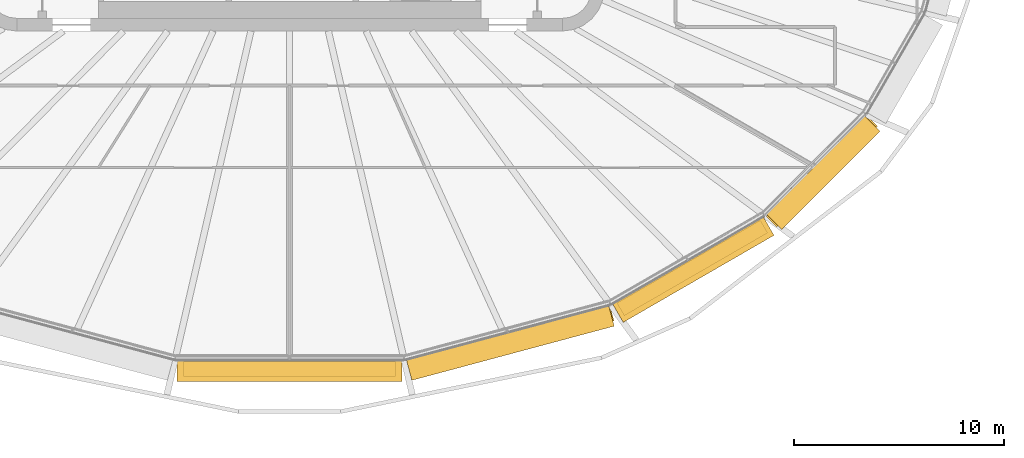
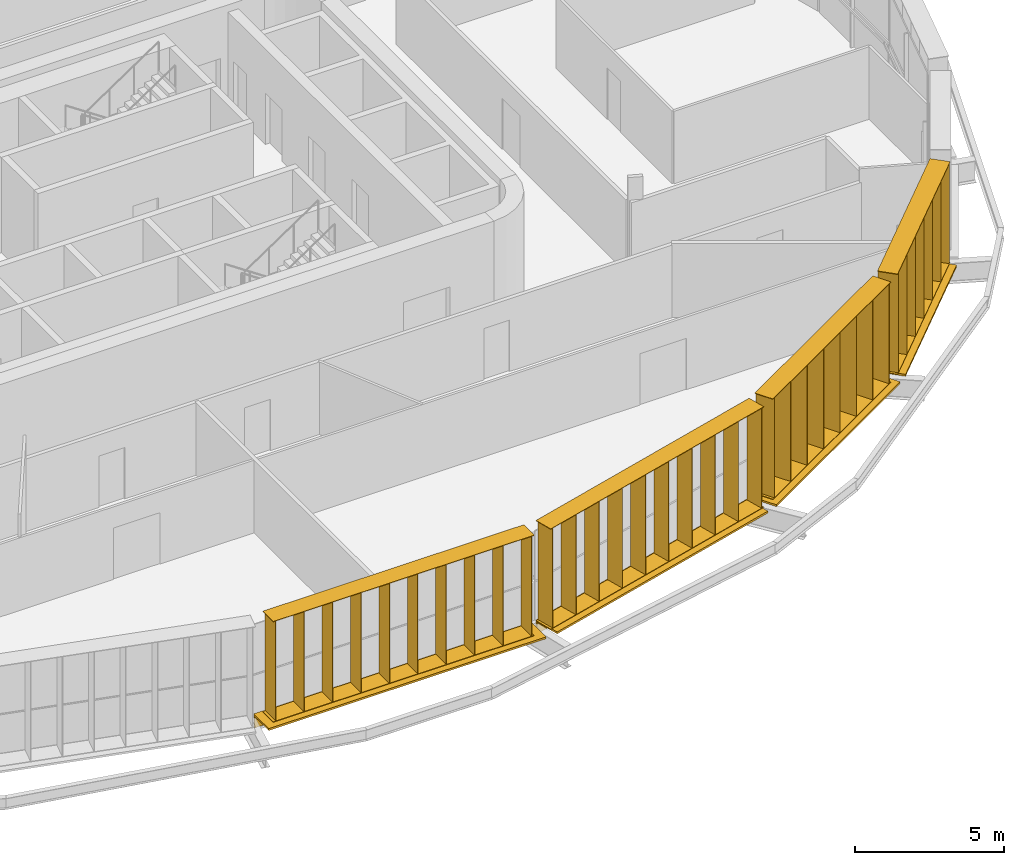
# One storey, part 22 of 25: 8 shading devices.
"""IFC4 building model written with IfcOpenShell, lengths in metres."""

from ifc_helpers import new_model, si_unit, direction, frame, origin, origin_2d, place, context, subcontext, project, spatial, rectangle, extrude, material, type_object, element, save


model = new_model("IFC4")

# Units and contexts
model_context = context("Model", 3, precision=1e-05, world=origin(), true_north=direction((0.0, 1.0)))
body_context = subcontext(model_context, "Body", "Model", "MODEL_VIEW")
ifc_project = project(units=[si_unit("LENGTHUNIT", "METRE"), si_unit("AREAUNIT", "SQUARE_METRE"), si_unit("VOLUMEUNIT", "CUBIC_METRE"), si_unit("PLANEANGLEUNIT", "RADIAN"), si_unit("MASSUNIT", "GRAM", prefix="KILO")], contexts=[model_context])

# Site, building, storey
site_placement = place(None, origin())
site = spatial("IfcSite", under=ifc_project, at=site_placement, CompositionType="ELEMENT")
building_placement = place(site_placement, origin())
building = spatial("IfcBuilding", under=site, at=building_placement, Name="Sahrelin Media Tower", CompositionType="ELEMENT")
storey_placement = place(building_placement, frame((0.0, 0.0, 144.0)))
storey = spatial("IfcBuildingStorey", under=building, at=storey_placement, Name="L29", CompositionType="ELEMENT", Elevation=144.0)

# Shading devices
ifc_material = material(Name="Champagne anodised aluminium 6063-T6", Category="aluminium")
shading_device_type_1 = type_object("IfcShadingDeviceType", Name="Fin cassette", PredefinedType="USERDEFINED", material=ifc_material)
placement_1 = place(storey_placement, frame((0.0, -23.69580078125, 0.0), z_axis=(0.0, 0.0, 1.0), x_axis=(-1.0, 0.0, 0.0)))
element("IfcShadingDevice", 1, at=placement_1, inside=storey, type_object=shading_device_type_1, Name="L29:FIN:L29-18", ObjectType="FIN", PredefinedType="USERDEFINED", context=body_context, shape_type="SweptSolid", body=[
    extrude(rectangle(XDim=10.10009765625, YDim=0.699951171875, at=origin_2d()), frame((0.0, 0.419921875, 0.0)), (0.0, 0.0, 1.0), 0.02001953125),
    extrude(rectangle(XDim=10.10009765625, YDim=0.699951171875, at=origin_2d()), frame((0.0, 0.419921875, 4.10009765625)), (0.0, 0.0, 1.0), 0.02001953125),
    extrude(rectangle(XDim=0.02001953125, YDim=0.699951171875, at=origin_2d()), frame((-4.949951171875, 0.419921875, 0.010009765625), z_axis=(0.0, 0.0, 1.0), x_axis=(1.0, 0.0, 0.0)), (0.0, 0.0, 1.0), 4.10009765625),
    extrude(rectangle(XDim=0.02001953125, YDim=0.699951171875, at=origin_2d()), frame((-3.85009765625, 0.419921875, 0.010009765625), z_axis=(0.0, 0.0, 1.0), x_axis=(1.0, 0.0, 0.0)), (0.0, 0.0, 1.0), 4.10009765625),
    extrude(rectangle(XDim=0.02001953125, YDim=0.699951171875, at=origin_2d()), frame((-2.75, 0.419921875, 0.010009765625), z_axis=(0.0, 0.0, 1.0), x_axis=(1.0, 0.0, 0.0)), (0.0, 0.0, 1.0), 4.10009765625),
    extrude(rectangle(XDim=0.02001953125, YDim=0.699951171875, at=origin_2d()), frame((-1.64990234375, 0.419921875, 0.010009765625), z_axis=(0.0, 0.0, 1.0), x_axis=(1.0, 0.0, 0.0)), (0.0, 0.0, 1.0), 4.10009765625),
    extrude(rectangle(XDim=0.02001953125, YDim=0.699951171875, at=origin_2d()), frame((-0.550048828125, 0.419921875, 0.010009765625), z_axis=(0.0, 0.0, 1.0), x_axis=(1.0, 0.0, 0.0)), (0.0, 0.0, 1.0), 4.10009765625),
    extrude(rectangle(XDim=0.02001953125, YDim=0.699951171875, at=origin_2d()), frame((0.550048828125, 0.419921875, 0.010009765625), z_axis=(0.0, 0.0, 1.0), x_axis=(1.0, 0.0, 0.0)), (0.0, 0.0, 1.0), 4.10009765625),
    extrude(rectangle(XDim=0.02001953125, YDim=0.699951171875, at=origin_2d()), frame((1.64990234375, 0.419921875, 0.010009765625), z_axis=(0.0, 0.0, 1.0), x_axis=(1.0, 0.0, 0.0)), (0.0, 0.0, 1.0), 4.10009765625),
    extrude(rectangle(XDim=0.02001953125, YDim=0.699951171875, at=origin_2d()), frame((2.75, 0.419921875, 0.010009765625), z_axis=(0.0, 0.0, 1.0), x_axis=(1.0, 0.0, 0.0)), (0.0, 0.0, 1.0), 4.10009765625),
    extrude(rectangle(XDim=0.02001953125, YDim=0.699951171875, at=origin_2d()), frame((3.85009765625, 0.419921875, 0.010009765625), z_axis=(0.0, 0.0, 1.0), x_axis=(1.0, 0.0, 0.0)), (0.0, 0.0, 1.0), 4.10009765625),
    extrude(rectangle(XDim=0.02001953125, YDim=0.699951171875, at=origin_2d()), frame((4.949951171875, 0.419921875, 0.010009765625), z_axis=(0.0, 0.0, 1.0), x_axis=(1.0, 0.0, 0.0)), (0.0, 0.0, 1.0), 4.10009765625),
])
placement_2 = place(storey_placement, frame((10.389404296875, -22.377197265625, 0.0), z_axis=(0.0, 0.0, 1.0), x_axis=(-0.965928857556, -0.258807731996, 0.0)))
element("IfcShadingDevice", 2, at=placement_2, inside=storey, type_object=shading_device_type_1, Name="L29:FIN:L29-19", ObjectType="FIN", PredefinedType="USERDEFINED", context=body_context, shape_type="SweptSolid", body=[
    extrude(rectangle(XDim=10.10009765625, YDim=0.699951171875, at=origin_2d()), frame((0.0, 0.419921875, 0.0)), (0.0, 0.0, 1.0), 0.02001953125),
    extrude(rectangle(XDim=10.10009765625, YDim=0.699951171875, at=origin_2d()), frame((0.0, 0.419921875, 4.10009765625)), (0.0, 0.0, 1.0), 0.02001953125),
    extrude(rectangle(XDim=0.02001953125, YDim=0.699951171875, at=origin_2d()), frame((-4.949951171875, 0.419921875, 0.010009765625), z_axis=(0.0, 0.0, 1.0), x_axis=(1.0, 0.0, 0.0)), (0.0, 0.0, 1.0), 4.10009765625),
    extrude(rectangle(XDim=0.02001953125, YDim=0.699951171875, at=origin_2d()), frame((-3.85009765625, 0.419921875, 0.010009765625), z_axis=(0.0, 0.0, 1.0), x_axis=(1.0, 0.0, 0.0)), (0.0, 0.0, 1.0), 4.10009765625),
    extrude(rectangle(XDim=0.02001953125, YDim=0.699951171875, at=origin_2d()), frame((-2.75, 0.419921875, 0.010009765625), z_axis=(0.0, 0.0, 1.0), x_axis=(1.0, 0.0, 0.0)), (0.0, 0.0, 1.0), 4.10009765625),
    extrude(rectangle(XDim=0.02001953125, YDim=0.699951171875, at=origin_2d()), frame((-1.64990234375, 0.419921875, 0.010009765625), z_axis=(0.0, 0.0, 1.0), x_axis=(1.0, 0.0, 0.0)), (0.0, 0.0, 1.0), 4.10009765625),
    extrude(rectangle(XDim=0.02001953125, YDim=0.699951171875, at=origin_2d()), frame((-0.550048828125, 0.419921875, 0.010009765625), z_axis=(0.0, 0.0, 1.0), x_axis=(1.0, 0.0, 0.0)), (0.0, 0.0, 1.0), 4.10009765625),
    extrude(rectangle(XDim=0.02001953125, YDim=0.699951171875, at=origin_2d()), frame((0.550048828125, 0.419921875, 0.010009765625), z_axis=(0.0, 0.0, 1.0), x_axis=(1.0, 0.0, 0.0)), (0.0, 0.0, 1.0), 4.10009765625),
    extrude(rectangle(XDim=0.02001953125, YDim=0.699951171875, at=origin_2d()), frame((1.64990234375, 0.419921875, 0.010009765625), z_axis=(0.0, 0.0, 1.0), x_axis=(1.0, 0.0, 0.0)), (0.0, 0.0, 1.0), 4.10009765625),
    extrude(rectangle(XDim=0.02001953125, YDim=0.699951171875, at=origin_2d()), frame((2.75, 0.419921875, 0.010009765625), z_axis=(0.0, 0.0, 1.0), x_axis=(1.0, 0.0, 0.0)), (0.0, 0.0, 1.0), 4.10009765625),
    extrude(rectangle(XDim=0.02001953125, YDim=0.699951171875, at=origin_2d()), frame((3.85009765625, 0.419921875, 0.010009765625), z_axis=(0.0, 0.0, 1.0), x_axis=(1.0, 0.0, 0.0)), (0.0, 0.0, 1.0), 4.10009765625),
    extrude(rectangle(XDim=0.02001953125, YDim=0.699951171875, at=origin_2d()), frame((4.949951171875, 0.419921875, 0.010009765625), z_axis=(0.0, 0.0, 1.0), x_axis=(1.0, 0.0, 0.0)), (0.0, 0.0, 1.0), 4.10009765625),
])
placement_3 = place(storey_placement, frame((18.990966796875, -18.93359375, 0.0), z_axis=(0.0, 0.0, 1.0), x_axis=(-0.866019052629, -0.500011000363, 0.0)))
element("IfcShadingDevice", 3, at=placement_3, inside=storey, type_object=shading_device_type_1, Name="L29:FIN:L29-20", ObjectType="FIN", PredefinedType="USERDEFINED", context=body_context, shape_type="SweptSolid", body=[
    extrude(rectangle(XDim=7.89990234375, YDim=0.699951171875, at=origin_2d()), frame((0.0, 0.419921875, 0.0)), (0.0, 0.0, 1.0), 0.02001953125),
    extrude(rectangle(XDim=7.89990234375, YDim=0.699951171875, at=origin_2d()), frame((0.0, 0.419921875, 4.10009765625)), (0.0, 0.0, 1.0), 0.02001953125),
    extrude(rectangle(XDim=0.02001953125, YDim=0.699951171875, at=origin_2d()), frame((-3.85009765625, 0.419921875, 0.010009765625), z_axis=(0.0, 0.0, 1.0), x_axis=(1.0, 0.0, 0.0)), (0.0, 0.0, 1.0), 4.10009765625),
    extrude(rectangle(XDim=0.02001953125, YDim=0.699951171875, at=origin_2d()), frame((-2.75, 0.419921875, 0.010009765625), z_axis=(0.0, 0.0, 1.0), x_axis=(1.0, 0.0, 0.0)), (0.0, 0.0, 1.0), 4.10009765625),
    extrude(rectangle(XDim=0.02001953125, YDim=0.699951171875, at=origin_2d()), frame((-1.64990234375, 0.419921875, 0.010009765625), z_axis=(0.0, 0.0, 1.0), x_axis=(1.0, 0.0, 0.0)), (0.0, 0.0, 1.0), 4.10009765625),
    extrude(rectangle(XDim=0.02001953125, YDim=0.699951171875, at=origin_2d()), frame((-0.550048828125, 0.419921875, 0.010009765625), z_axis=(0.0, 0.0, 1.0), x_axis=(1.0, 0.0, 0.0)), (0.0, 0.0, 1.0), 4.10009765625),
    extrude(rectangle(XDim=0.02001953125, YDim=0.699951171875, at=origin_2d()), frame((0.550048828125, 0.419921875, 0.010009765625), z_axis=(0.0, 0.0, 1.0), x_axis=(1.0, 0.0, 0.0)), (0.0, 0.0, 1.0), 4.10009765625),
    extrude(rectangle(XDim=0.02001953125, YDim=0.699951171875, at=origin_2d()), frame((1.64990234375, 0.419921875, 0.010009765625), z_axis=(0.0, 0.0, 1.0), x_axis=(1.0, 0.0, 0.0)), (0.0, 0.0, 1.0), 4.10009765625),
    extrude(rectangle(XDim=0.02001953125, YDim=0.699951171875, at=origin_2d()), frame((2.75, 0.419921875, 0.010009765625), z_axis=(0.0, 0.0, 1.0), x_axis=(1.0, 0.0, 0.0)), (0.0, 0.0, 1.0), 4.10009765625),
    extrude(rectangle(XDim=0.02001953125, YDim=0.699951171875, at=origin_2d()), frame((3.85009765625, 0.419921875, 0.010009765625), z_axis=(0.0, 0.0, 1.0), x_axis=(1.0, 0.0, 0.0)), (0.0, 0.0, 1.0), 4.10009765625),
])
placement_4 = place(storey_placement, frame((25.08349609375, -14.396728515625, 0.0), z_axis=(0.0, 0.0, 1.0), x_axis=(-0.707106781187, -0.707106781187, 0.0)))
element("IfcShadingDevice", 4, at=placement_4, inside=storey, type_object=shading_device_type_1, Name="L29:FIN:L29-21", ObjectType="FIN", PredefinedType="USERDEFINED", context=body_context, shape_type="SweptSolid", body=[
    extrude(rectangle(XDim=6.800048828125, YDim=0.699951171875, at=origin_2d()), frame((0.0, 0.419921875, 0.0)), (0.0, 0.0, 1.0), 0.02001953125),
    extrude(rectangle(XDim=6.800048828125, YDim=0.699951171875, at=origin_2d()), frame((0.0, 0.419921875, 4.10009765625)), (0.0, 0.0, 1.0), 0.02001953125),
    extrude(rectangle(XDim=0.02001953125, YDim=0.699951171875, at=origin_2d()), frame((-3.300048828125, 0.419921875, 0.010009765625), z_axis=(0.0, 0.0, 1.0), x_axis=(1.0, 0.0, 0.0)), (0.0, 0.0, 1.0), 4.10009765625),
    extrude(rectangle(XDim=0.02001953125, YDim=0.699951171875, at=origin_2d()), frame((-2.199951171875, 0.419921875, 0.010009765625), z_axis=(0.0, 0.0, 1.0), x_axis=(1.0, 0.0, 0.0)), (0.0, 0.0, 1.0), 4.10009765625),
    extrude(rectangle(XDim=0.02001953125, YDim=0.699951171875, at=origin_2d()), frame((-1.10009765625, 0.419921875, 0.010009765625), z_axis=(0.0, 0.0, 1.0), x_axis=(1.0, 0.0, 0.0)), (0.0, 0.0, 1.0), 4.10009765625),
    extrude(rectangle(XDim=0.02001953125, YDim=0.699951171875, at=origin_2d()), frame((0.0, 0.419921875, 0.010009765625), z_axis=(0.0, 0.0, 1.0), x_axis=(1.0, 0.0, 0.0)), (0.0, 0.0, 1.0), 4.10009765625),
    extrude(rectangle(XDim=0.02001953125, YDim=0.699951171875, at=origin_2d()), frame((1.10009765625, 0.419921875, 0.010009765625), z_axis=(0.0, 0.0, 1.0), x_axis=(1.0, 0.0, 0.0)), (0.0, 0.0, 1.0), 4.10009765625),
    extrude(rectangle(XDim=0.02001953125, YDim=0.699951171875, at=origin_2d()), frame((2.199951171875, 0.419921875, 0.010009765625), z_axis=(0.0, 0.0, 1.0), x_axis=(1.0, 0.0, 0.0)), (0.0, 0.0, 1.0), 4.10009765625),
    extrude(rectangle(XDim=0.02001953125, YDim=0.699951171875, at=origin_2d()), frame((3.300048828125, 0.419921875, 0.010009765625), z_axis=(0.0, 0.0, 1.0), x_axis=(1.0, 0.0, 0.0)), (0.0, 0.0, 1.0), 4.10009765625),
])
shading_device_type_2 = type_object("IfcShadingDeviceType", Name="Sunshade band", PredefinedType="USERDEFINED", material=ifc_material)
element("IfcShadingDevice", 5, at=placement_1, inside=storey, type_object=shading_device_type_2, Name="L29:SUN:L29-18", ObjectType="SUNSHADE", PredefinedType="USERDEFINED", context=body_context, shape_type="SweptSolid", body=[
    extrude(rectangle(XDim=10.73828125, YDim=0.050048828125, at=origin_2d()), frame((0.0, 0.044921875, -0.55126953125)), (0.0, 0.0, 1.0), 0.471435546875),
    extrude(rectangle(XDim=10.73828125, YDim=1.0, at=origin_2d()), frame((0.0, 0.52001953125, -0.080078125)), (0.0, 0.0, 1.0), 0.080078125),
    extrude(rectangle(XDim=0.10009765625, YDim=0.074951171875, at=origin_2d()), frame((-5.26904296875, -0.017578125, -0.47021484375)), (0.0, 0.0, 1.0), 0.300048828125),
    extrude(rectangle(XDim=0.10009765625, YDim=0.074951171875, at=origin_2d()), frame((-3.5126953125, -0.017578125, -0.47021484375)), (0.0, 0.0, 1.0), 0.300048828125),
    extrude(rectangle(XDim=0.10009765625, YDim=0.074951171875, at=origin_2d()), frame((-1.75634765625, -0.017578125, -0.47021484375)), (0.0, 0.0, 1.0), 0.300048828125),
    extrude(rectangle(XDim=0.10009765625, YDim=0.074951171875, at=origin_2d()), frame((0.0, -0.017578125, -0.47021484375)), (0.0, 0.0, 1.0), 0.300048828125),
    extrude(rectangle(XDim=0.10009765625, YDim=0.074951171875, at=origin_2d()), frame((1.75634765625, -0.017578125, -0.47021484375)), (0.0, 0.0, 1.0), 0.300048828125),
    extrude(rectangle(XDim=0.10009765625, YDim=0.074951171875, at=origin_2d()), frame((3.5126953125, -0.017578125, -0.47021484375)), (0.0, 0.0, 1.0), 0.300048828125),
    extrude(rectangle(XDim=0.10009765625, YDim=0.074951171875, at=origin_2d()), frame((5.26904296875, -0.017578125, -0.47021484375)), (0.0, 0.0, 1.0), 0.300048828125),
])
element("IfcShadingDevice", 6, at=placement_2, inside=storey, type_object=shading_device_type_2, Name="L29:SUN:L29-19", ObjectType="SUNSHADE", PredefinedType="USERDEFINED", context=body_context, shape_type="SweptSolid", body=[
    extrude(rectangle(XDim=9.98779296875, YDim=0.050048828125, at=origin_2d()), frame((0.0, 0.044921875, -0.55126953125)), (0.0, 0.0, 1.0), 0.471435546875),
    extrude(rectangle(XDim=9.98779296875, YDim=1.0, at=origin_2d()), frame((0.0, 0.52001953125, -0.080078125)), (0.0, 0.0, 1.0), 0.080078125),
    extrude(rectangle(XDim=0.10009765625, YDim=0.074951171875, at=origin_2d()), frame((-4.893798828125, -0.017578125, -0.47021484375)), (0.0, 0.0, 1.0), 0.300048828125),
    extrude(rectangle(XDim=0.10009765625, YDim=0.074951171875, at=origin_2d()), frame((-2.936279296875, -0.017578125, -0.47021484375)), (0.0, 0.0, 1.0), 0.300048828125),
    extrude(rectangle(XDim=0.10009765625, YDim=0.074951171875, at=origin_2d()), frame((-0.978759765625, -0.017578125, -0.47021484375)), (0.0, 0.0, 1.0), 0.300048828125),
    extrude(rectangle(XDim=0.10009765625, YDim=0.074951171875, at=origin_2d()), frame((0.978759765625, -0.017578125, -0.47021484375)), (0.0, 0.0, 1.0), 0.300048828125),
    extrude(rectangle(XDim=0.10009765625, YDim=0.074951171875, at=origin_2d()), frame((2.936279296875, -0.017578125, -0.47021484375)), (0.0, 0.0, 1.0), 0.300048828125),
    extrude(rectangle(XDim=0.10009765625, YDim=0.074951171875, at=origin_2d()), frame((4.893798828125, -0.017578125, -0.47021484375)), (0.0, 0.0, 1.0), 0.300048828125),
])
element("IfcShadingDevice", 7, at=placement_3, inside=storey, type_object=shading_device_type_2, Name="L29:SUN:L29-20", ObjectType="SUNSHADE", PredefinedType="USERDEFINED", context=body_context, shape_type="SweptSolid", body=[
    extrude(rectangle(XDim=8.30126953125, YDim=0.050048828125, at=origin_2d()), frame((0.0, 0.044921875, -0.55126953125)), (0.0, 0.0, 1.0), 0.471435546875),
    extrude(rectangle(XDim=8.30126953125, YDim=1.0, at=origin_2d()), frame((0.0, 0.52001953125, -0.080078125)), (0.0, 0.0, 1.0), 0.080078125),
    extrude(rectangle(XDim=0.10009765625, YDim=0.074951171875, at=origin_2d()), frame((-4.050537109375, -0.017578125, -0.47021484375)), (0.0, 0.0, 1.0), 0.300048828125),
    extrude(rectangle(XDim=0.10009765625, YDim=0.074951171875, at=origin_2d()), frame((-2.430419921875, -0.017578125, -0.47021484375)), (0.0, 0.0, 1.0), 0.300048828125),
    extrude(rectangle(XDim=0.10009765625, YDim=0.074951171875, at=origin_2d()), frame((-0.81005859375, -0.017578125, -0.47021484375)), (0.0, 0.0, 1.0), 0.300048828125),
    extrude(rectangle(XDim=0.10009765625, YDim=0.074951171875, at=origin_2d()), frame((0.81005859375, -0.017578125, -0.47021484375)), (0.0, 0.0, 1.0), 0.300048828125),
    extrude(rectangle(XDim=0.10009765625, YDim=0.074951171875, at=origin_2d()), frame((2.430419921875, -0.017578125, -0.47021484375)), (0.0, 0.0, 1.0), 0.300048828125),
    extrude(rectangle(XDim=0.10009765625, YDim=0.074951171875, at=origin_2d()), frame((4.050537109375, -0.017578125, -0.47021484375)), (0.0, 0.0, 1.0), 0.300048828125),
])
element("IfcShadingDevice", 8, at=placement_4, inside=storey, type_object=shading_device_type_2, Name="L29:SUN:L29-21", ObjectType="SUNSHADE", PredefinedType="USERDEFINED", context=body_context, shape_type="SweptSolid", body=[
    extrude(rectangle(XDim=6.62060546875, YDim=0.050048828125, at=origin_2d()), frame((0.0, 0.044921875, -0.55126953125)), (0.0, 0.0, 1.0), 0.471435546875),
    extrude(rectangle(XDim=6.62060546875, YDim=1.0, at=origin_2d()), frame((0.0, 0.52001953125, -0.080078125)), (0.0, 0.0, 1.0), 0.080078125),
    extrude(rectangle(XDim=0.10009765625, YDim=0.074951171875, at=origin_2d()), frame((-3.210205078125, -0.017578125, -0.47021484375)), (0.0, 0.0, 1.0), 0.300048828125),
    extrude(rectangle(XDim=0.10009765625, YDim=0.074951171875, at=origin_2d()), frame((-1.605224609375, -0.017578125, -0.47021484375)), (0.0, 0.0, 1.0), 0.300048828125),
    extrude(rectangle(XDim=0.10009765625, YDim=0.074951171875, at=origin_2d()), frame((0.0, -0.017578125, -0.47021484375)), (0.0, 0.0, 1.0), 0.300048828125),
    extrude(rectangle(XDim=0.10009765625, YDim=0.074951171875, at=origin_2d()), frame((1.605224609375, -0.017578125, -0.47021484375)), (0.0, 0.0, 1.0), 0.300048828125),
    extrude(rectangle(XDim=0.10009765625, YDim=0.074951171875, at=origin_2d()), frame((3.210205078125, -0.017578125, -0.47021484375)), (0.0, 0.0, 1.0), 0.300048828125),
])

save(model, "model.ifc")
